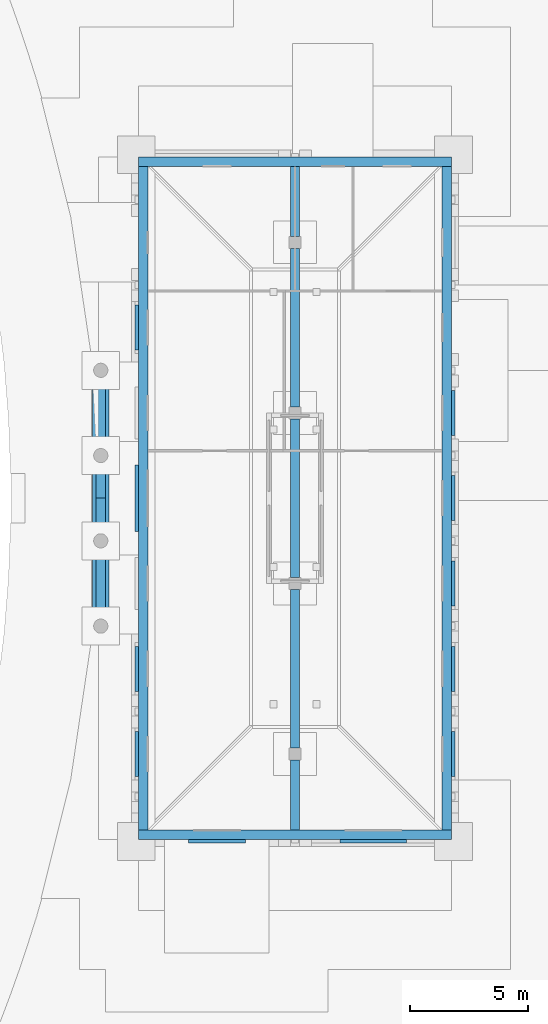
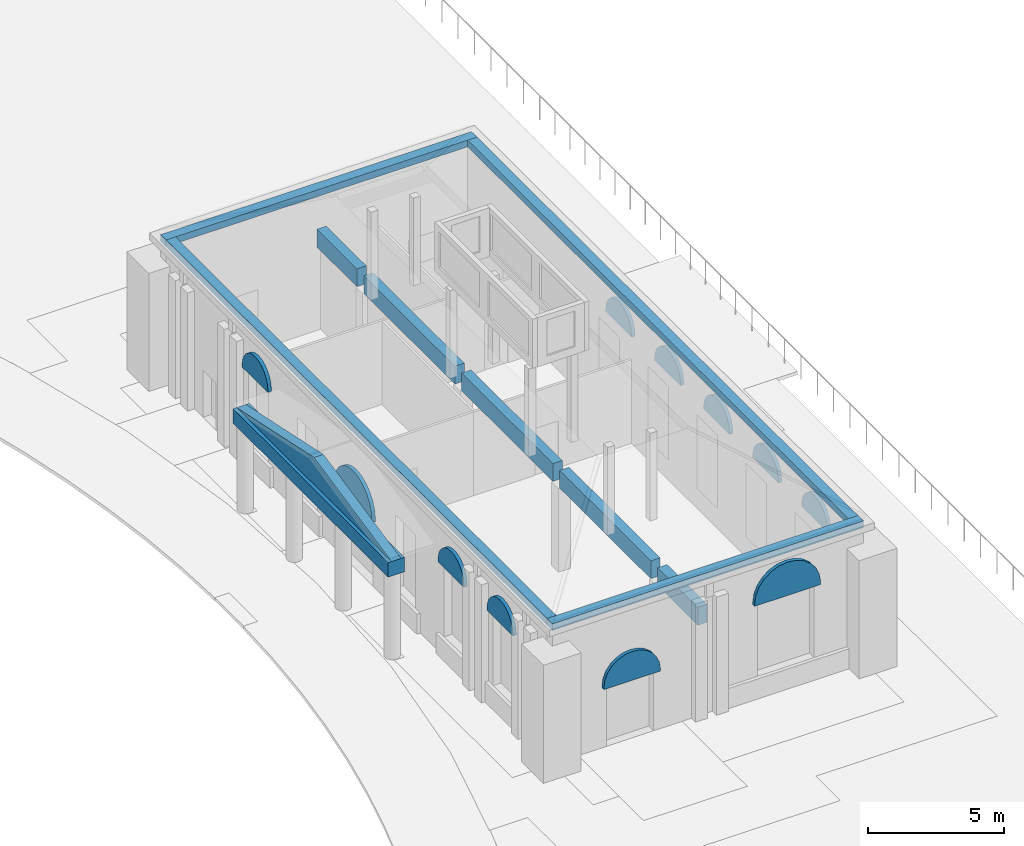
# One storey, part 53 of 131: 12 members, 10 beams.
"""IFC4 building model written with IfcOpenShell, lengths in metres."""

from ifc_helpers import new_model, si_unit, direction, frame, origin, origin_2d, place, context, subcontext, project, spatial, polyline, rectangle, outline, extrude, material, material_profile, profile_set, type_object, element, save


model = new_model("IFC4")

# Units and contexts
model_context = context("Model", 3, precision=1e-05, world=origin(), true_north=direction((0.0, 1.0)))
body_context = subcontext(model_context, "Body", "Model", "MODEL_VIEW")
ifc_project = project(units=[si_unit("LENGTHUNIT", "METRE"), si_unit("AREAUNIT", "SQUARE_METRE"), si_unit("VOLUMEUNIT", "CUBIC_METRE"), si_unit("PLANEANGLEUNIT", "RADIAN"), si_unit("MASSUNIT", "GRAM", prefix="KILO")], contexts=[model_context])

# Site, building, storey
site_placement = place(None, origin())
site = spatial("IfcSite", under=ifc_project, at=site_placement, CompositionType="ELEMENT")
building_placement = place(site_placement, origin())
building = spatial("IfcBuilding", under=site, at=building_placement, Name="Alderwick Market Hall", CompositionType="ELEMENT")
storey_placement = place(building_placement, frame((0.0, 0.0, 4.800048828125)))
storey = spatial("IfcBuildingStorey", under=building, at=storey_placement, Name="L00", CompositionType="ELEMENT", Elevation=4.800048828125)

# Members
ifc_material_1 = material(Name="Cast stone 5000 psi", Category="masonry")
ifc_material_profile_1 = material_profile(ifc_material_1, outline(polyline([(-0.949951171875, 0.0), (0.949951171875, 0.0), (0.949951171875, 0.10009765625), (0.91748046875, 0.345947265625), (0.82275390625, 0.574951171875), (0.671875, 0.771728515625), (0.47509765625, 0.922607421875), (0.245849609375, 1.017578125), (0.0, 1.050048828125), (-0.245849609375, 1.017578125), (-0.47509765625, 0.922607421875), (-0.671875, 0.771728515625), (-0.82275390625, 0.574951171875), (-0.91748046875, 0.345947265625), (-0.949951171875, 0.10009765625), (-0.949951171875, 0.0)])), Name="Cast stone arch head 1900")
ifc_profile_set_1 = profile_set([ifc_material_profile_1], Name="Cast stone 5000 psi")
member_type_1 = type_object("IfcMemberType", Name="G Arch head 1900", PredefinedType="MEMBER", material=ifc_profile_set_1)
for number, where, z_axis, x_axis, name in (
    (1, (214.64990234375, 68.39990234375, 4.199951171875), (1.0, 0.0, 0.0), (0.0, 1.0, 0.0), "Arch head G-AH01"),
    (2, (214.64990234375, 72.0, 4.199951171875), (1.0, 0.0, 0.0), (0.0, 1.0, 0.0), "Arch head G-AH02"),
    (3, (214.64990234375, 86.39990234375, 4.199951171875), (1.0, 0.0, 0.0), (0.0, 1.0, 0.0), "Arch head G-AH03"),
):
    element("IfcMember", number, at=place(storey_placement, frame(where, z_axis=z_axis, x_axis=x_axis)), inside=storey, type_object=member_type_1, Name=name, PredefinedType="MEMBER", context=body_context, shape_type="SweptSolid", body=[
        extrude(outline(polyline([(-0.949951171875, 0.0), (0.949951171875, 0.0), (0.949951171875, 0.10009765625), (0.91748046875, 0.345947265625), (0.82275390625, 0.574951171875), (0.671875, 0.771728515625), (0.47509765625, 0.922607421875), (0.245849609375, 1.017578125), (0.0, 1.050048828125), (-0.245849609375, 1.017578125), (-0.47509765625, 0.922607421875), (-0.671875, 0.771728515625), (-0.82275390625, 0.574951171875), (-0.91748046875, 0.345947265625), (-0.949951171875, 0.10009765625), (-0.949951171875, 0.0)])), origin(), (0.0, 0.0, 1.0), 0.150146484375),
    ])
for number, where, z_axis, x_axis, name in (
    (4, (228.0, 68.39990234375, 4.199951171875), (1.0, 0.0, 0.0), (0.0, 1.0, 0.0), "Arch head G-AH05"),
    (5, (228.0, 72.0, 4.199951171875), (1.0, 0.0, 0.0), (0.0, 1.0, 0.0), "Arch head G-AH06"),
    (6, (228.0, 75.60009765625, 4.199951171875), (1.0, 0.0, 0.0), (0.0, 1.0, 0.0), "Arch head G-AH07"),
    (7, (228.0, 79.199951171875, 4.199951171875), (1.0, 0.0, 0.0), (0.0, 1.0, 0.0), "Arch head G-AH08"),
    (8, (228.0, 82.800048828125, 4.199951171875), (1.0, 0.0, 0.0), (0.0, 1.0, 0.0), "Arch head G-AH09"),
):
    element("IfcMember", number, at=place(storey_placement, frame(where, z_axis=z_axis, x_axis=x_axis)), inside=storey, type_object=member_type_1, Name=name, PredefinedType="MEMBER", context=body_context, shape_type="SweptSolid", body=[
        extrude(outline(polyline([(-0.949951171875, 0.0), (0.949951171875, 0.0), (0.949951171875, 0.10009765625), (0.91748046875, 0.345947265625), (0.82275390625, 0.574951171875), (0.671875, 0.771728515625), (0.47509765625, 0.922607421875), (0.245849609375, 1.017578125), (0.0, 1.050048828125), (-0.245849609375, 1.017578125), (-0.47509765625, 0.922607421875), (-0.671875, 0.771728515625), (-0.82275390625, 0.574951171875), (-0.91748046875, 0.345947265625), (-0.949951171875, 0.10009765625), (-0.949951171875, 0.0)])), origin(), (0.0, 0.0, 1.0), 0.14990234375),
    ])
ifc_material_profile_2 = material_profile(ifc_material_1, outline(polyline([(-1.199951171875, 0.0), (1.199951171875, 0.0), (1.199951171875, 0.10009765625), (1.1591796875, 0.41064453125), (1.039306640625, 0.699951171875), (0.848388671875, 0.948486328125), (0.60009765625, 1.13916015625), (0.310546875, 1.259033203125), (0.0, 1.300048828125), (-0.310546875, 1.259033203125), (-0.60009765625, 1.13916015625), (-0.848388671875, 0.948486328125), (-1.039306640625, 0.699951171875), (-1.1591796875, 0.41064453125), (-1.199951171875, 0.10009765625), (-1.199951171875, 0.0)])), Name="Cast stone arch head 2400")
ifc_profile_set_2 = profile_set([ifc_material_profile_2], Name="Cast stone 5000 psi")
member_type_2 = type_object("IfcMemberType", Name="G Arch head 2400", PredefinedType="MEMBER", material=ifc_profile_set_2)
member_1_placement = place(storey_placement, frame((218.10009765625, 64.64990234375, 2.699951171875), z_axis=(0.0, 1.0, 0.0), x_axis=(-1.0, 0.0, 0.0)))
element("IfcMember", 9, at=member_1_placement, inside=storey, type_object=member_type_2, Name="Arch head G-AH11", PredefinedType="MEMBER", context=body_context, shape_type="SweptSolid", body=[
    extrude(outline(polyline([(-1.199951171875, 0.0), (1.199951171875, 0.0), (1.199951171875, 0.10009765625), (1.1591796875, 0.41064453125), (1.039306640625, 0.699951171875), (0.848388671875, 0.948486328125), (0.60009765625, 1.13916015625), (0.310546875, 1.259033203125), (0.0, 1.300048828125), (-0.310546875, 1.259033203125), (-0.60009765625, 1.13916015625), (-0.848388671875, 0.948486328125), (-1.039306640625, 0.699951171875), (-1.1591796875, 0.41064453125), (-1.199951171875, 0.10009765625), (-1.199951171875, 0.0)])), origin(), (0.0, 0.0, 1.0), 0.150146484375),
])
ifc_material_profile_3 = material_profile(ifc_material_1, outline(polyline([(-1.39990234375, 0.0), (1.39990234375, 0.0), (1.39990234375, 0.10009765625), (1.352294921875, 0.46240234375), (1.21240234375, 0.800048828125), (0.989990234375, 1.08984375), (0.699951171875, 1.3125), (0.3623046875, 1.452392578125), (0.0, 1.5), (-0.3623046875, 1.452392578125), (-0.699951171875, 1.3125), (-0.989990234375, 1.08984375), (-1.21240234375, 0.800048828125), (-1.352294921875, 0.46240234375), (-1.39990234375, 0.10009765625), (-1.39990234375, 0.0)])), Name="Cast stone arch head 2800")
ifc_profile_set_3 = profile_set([ifc_material_profile_3], Name="Cast stone 5000 psi")
member_type_3 = type_object("IfcMemberType", Name="G Arch head 2800", PredefinedType="MEMBER", material=ifc_profile_set_3)
for number, where, z_axis, x_axis, name in (
    (10, (214.64990234375, 79.199951171875, 3.0), (1.0, 0.0, 0.0), (0.0, 1.0, 0.0), "Arch head G-AH04"),
    (11, (224.699951171875, 64.64990234375, 4.199951171875), (0.0, 1.0, 0.0), (-1.0, 0.0, 0.0), "Arch head G-AH10"),
):
    element("IfcMember", number, at=place(storey_placement, frame(where, z_axis=z_axis, x_axis=x_axis)), inside=storey, type_object=member_type_3, Name=name, PredefinedType="MEMBER", context=body_context, shape_type="SweptSolid", body=[
        extrude(outline(polyline([(-1.39990234375, 0.0), (1.39990234375, 0.0), (1.39990234375, 0.10009765625), (1.352294921875, 0.46240234375), (1.21240234375, 0.800048828125), (0.989990234375, 1.08984375), (0.699951171875, 1.3125), (0.3623046875, 1.452392578125), (0.0, 1.5), (-0.3623046875, 1.452392578125), (-0.699951171875, 1.3125), (-0.989990234375, 1.08984375), (-1.21240234375, 0.800048828125), (-1.352294921875, 0.46240234375), (-1.39990234375, 0.10009765625), (-1.39990234375, 0.0)])), origin(), (0.0, 0.0, 1.0), 0.150146484375),
    ])

# Beams
ifc_material_2 = material(Name="Concrete 5000 psi (f'c 35 MPa)", Category="concrete")
ifc_material_profile_4 = material_profile(ifc_material_2, rectangle(XDim=0.699951171875, YDim=0.64990234375, at=origin_2d()), Name="RC 700x650")
ifc_profile_set_4 = profile_set([ifc_material_profile_4], Name="Concrete 5000 psi (f'c 35 MPa)")
beam_type_1 = type_object("IfcBeamType", Name="G Architrave 700x650", PredefinedType="BEAM", material=ifc_profile_set_4)
beam_1_placement = place(storey_placement, frame((213.199951171875, 73.5, 4.125), z_axis=(0.0, 1.0, 0.0), x_axis=(-1.0, 0.0, 0.0)))
element("IfcBeam", 12, at=beam_1_placement, inside=storey, type_object=beam_type_1, Name="Portico architrave", PredefinedType="BEAM", context=body_context, shape_type="SweptSolid", body=[
    extrude(rectangle(XDim=0.699951171875, YDim=0.64990234375, at=origin_2d()), origin(), (0.0, 0.0, 1.0), 11.39990234375),
])
ifc_material_profile_5 = material_profile(ifc_material_2, rectangle(XDim=0.39990234375, YDim=0.800048828125, at=origin_2d()), Name="RC 400x800")
ifc_profile_set_5 = profile_set([ifc_material_profile_5], Name="Concrete 5000 psi (f'c 35 MPa)")
beam_type_2 = type_object("IfcBeamType", Name="G Girder 400x800", PredefinedType="BEAM", material=ifc_profile_set_5)
beam_2_placement = place(storey_placement, frame((221.39990234375, 65.199951171875, 4.14990234375), z_axis=(0.0, 1.0, 0.0), x_axis=(-1.0, 0.0, 0.0)))
element("IfcBeam", 13, at=beam_2_placement, inside=storey, type_object=beam_type_2, Name="Girder", PredefinedType="BEAM", context=body_context, shape_type="SweptSolid", body=[
    extrude(rectangle(XDim=0.39990234375, YDim=0.800048828125, at=origin_2d()), origin(), (0.0, 0.0, 1.0), 2.949951171875),
])
beam_3_placement = place(storey_placement, frame((221.39990234375, 68.64990234375, 4.14990234375), z_axis=(0.0, 1.0, 0.0), x_axis=(-1.0, 0.0, 0.0)))
element("IfcBeam", 14, at=beam_3_placement, inside=storey, type_object=beam_type_2, Name="Girder", PredefinedType="BEAM", context=body_context, shape_type="SweptSolid", body=[
    extrude(rectangle(XDim=0.39990234375, YDim=0.800048828125, at=origin_2d()), origin(), (0.0, 0.0, 1.0), 6.7001953125),
])
for number, where, z_axis, x_axis, name in (
    (15, (221.39990234375, 75.85009765625, 4.14990234375), (0.0, 1.0, 0.0), (-1.0, 0.0, 0.0), "Girder"),
    (16, (221.39990234375, 83.050048828125, 4.14990234375), (0.0, 1.0, 0.0), (-1.0, 0.0, 0.0), "Girder"),
):
    element("IfcBeam", number, at=place(storey_placement, frame(where, z_axis=z_axis, x_axis=x_axis)), inside=storey, type_object=beam_type_2, Name=name, PredefinedType="BEAM", context=body_context, shape_type="SweptSolid", body=[
        extrude(rectangle(XDim=0.39990234375, YDim=0.800048828125, at=origin_2d()), origin(), (0.0, 0.0, 1.0), 6.699951171875),
    ])
beam_4_placement = place(storey_placement, frame((221.39990234375, 90.25, 4.14990234375), z_axis=(0.0, 1.0, 0.0), x_axis=(-1.0, 0.0, 0.0)))
element("IfcBeam", 17, at=beam_4_placement, inside=storey, type_object=beam_type_2, Name="Girder", PredefinedType="BEAM", context=body_context, shape_type="SweptSolid", body=[
    extrude(rectangle(XDim=0.39990234375, YDim=0.800048828125, at=origin_2d()), origin(), (0.0, 0.0, 1.0), 2.949951171875),
])

# Member
ifc_material_profile_6 = material_profile(ifc_material_1, outline(polyline([(-5.699951171875, 0.0), (5.699951171875, 0.0), (0.0, 1.211669921875), (-5.699951171875, 0.0)])), Name="Cast stone pediment")
ifc_profile_set_6 = profile_set([ifc_material_profile_6], Name="Cast stone 5000 psi")
member_type_4 = type_object("IfcMemberType", Name="G Pediment", PredefinedType="MEMBER", material=ifc_profile_set_6)
member_2_placement = place(storey_placement, frame((213.0, 79.199951171875, 4.449951171875), z_axis=(1.0, 0.0, 0.0), x_axis=(0.0, 1.0, 0.0)))
element("IfcMember", 18, at=member_2_placement, inside=storey, type_object=member_type_4, Name="Portico pediment", PredefinedType="MEMBER", context=body_context, shape_type="SweptSolid", body=[
    extrude(outline(polyline([(-5.699951171875, 0.0), (5.699951171875, 0.0), (0.0, 1.211669921875), (-5.699951171875, 0.0)])), origin(), (0.0, 0.0, 1.0), 0.39990234375),
])

# Beams
ifc_material_profile_7 = material_profile(ifc_material_2, rectangle(XDim=0.39990234375, YDim=0.300048828125, at=origin_2d()), Name="RC 400x300")
ifc_profile_set_7 = profile_set([ifc_material_profile_7], Name="Concrete 5000 psi (f'c 35 MPa)")
beam_type_3 = type_object("IfcBeamType", Name="G Ring beam 400x300", PredefinedType="BEAM", material=ifc_profile_set_7)
for number, where, z_axis, x_axis, name in (
    (19, (214.800048828125, 65.0, 6.14990234375), (1.0, 0.0, 0.0), (0.0, 1.0, 0.0), "Ring beam S"),
    (20, (214.800048828125, 93.39990234375, 6.14990234375), (1.0, 0.0, 0.0), (0.0, 1.0, 0.0), "Ring beam N"),
):
    element("IfcBeam", number, at=place(storey_placement, frame(where, z_axis=z_axis, x_axis=x_axis)), inside=storey, type_object=beam_type_3, Name=name, PredefinedType="BEAM", context=body_context, shape_type="SweptSolid", body=[
        extrude(rectangle(XDim=0.39990234375, YDim=0.300048828125, at=origin_2d()), origin(), (0.0, 0.0, 1.0), 13.199951171875),
    ])
for number, where, z_axis, x_axis, name in (
    (21, (215.0, 65.199951171875, 6.14990234375), (0.0, 1.0, 0.0), (-1.0, 0.0, 0.0), "Ring beam W"),
    (22, (227.800048828125, 65.199951171875, 6.14990234375), (0.0, 1.0, 0.0), (-1.0, 0.0, 0.0), "Ring beam E"),
):
    element("IfcBeam", number, at=place(storey_placement, frame(where, z_axis=z_axis, x_axis=x_axis)), inside=storey, type_object=beam_type_3, Name=name, PredefinedType="BEAM", context=body_context, shape_type="SweptSolid", body=[
        extrude(rectangle(XDim=0.39990234375, YDim=0.300048828125, at=origin_2d()), origin(), (0.0, 0.0, 1.0), 28.0),
    ])

save(model, "model.ifc")
